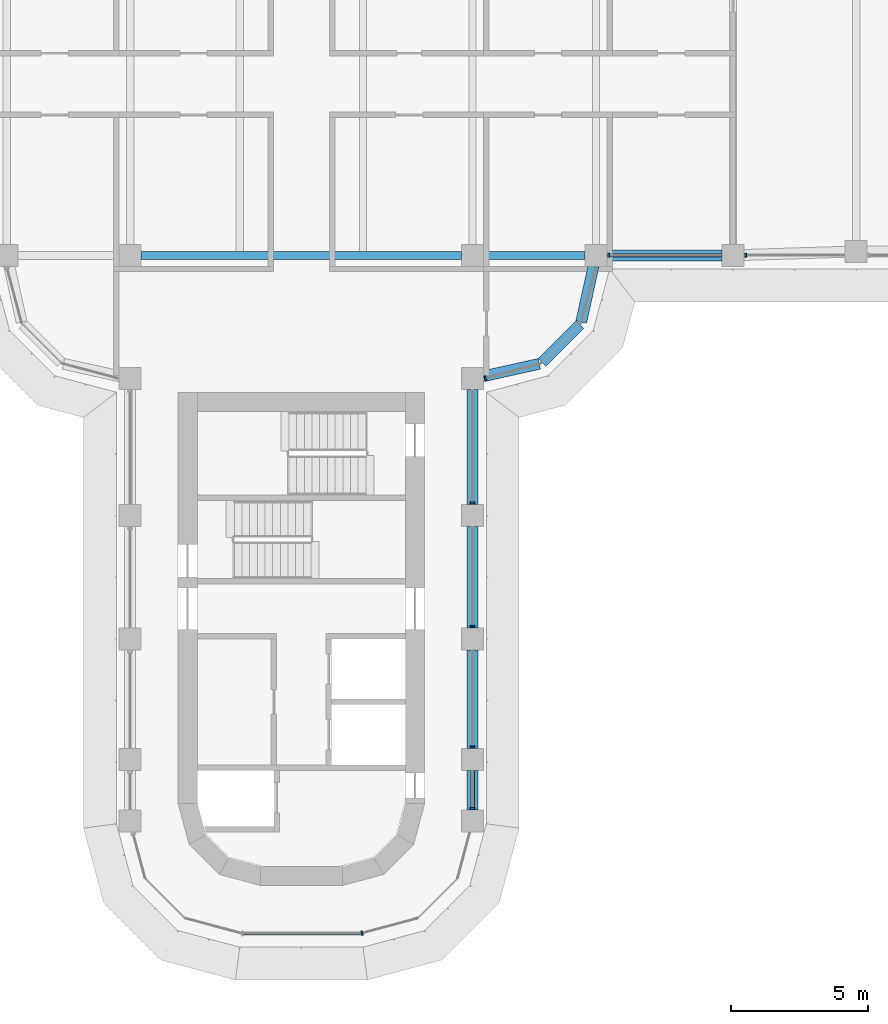
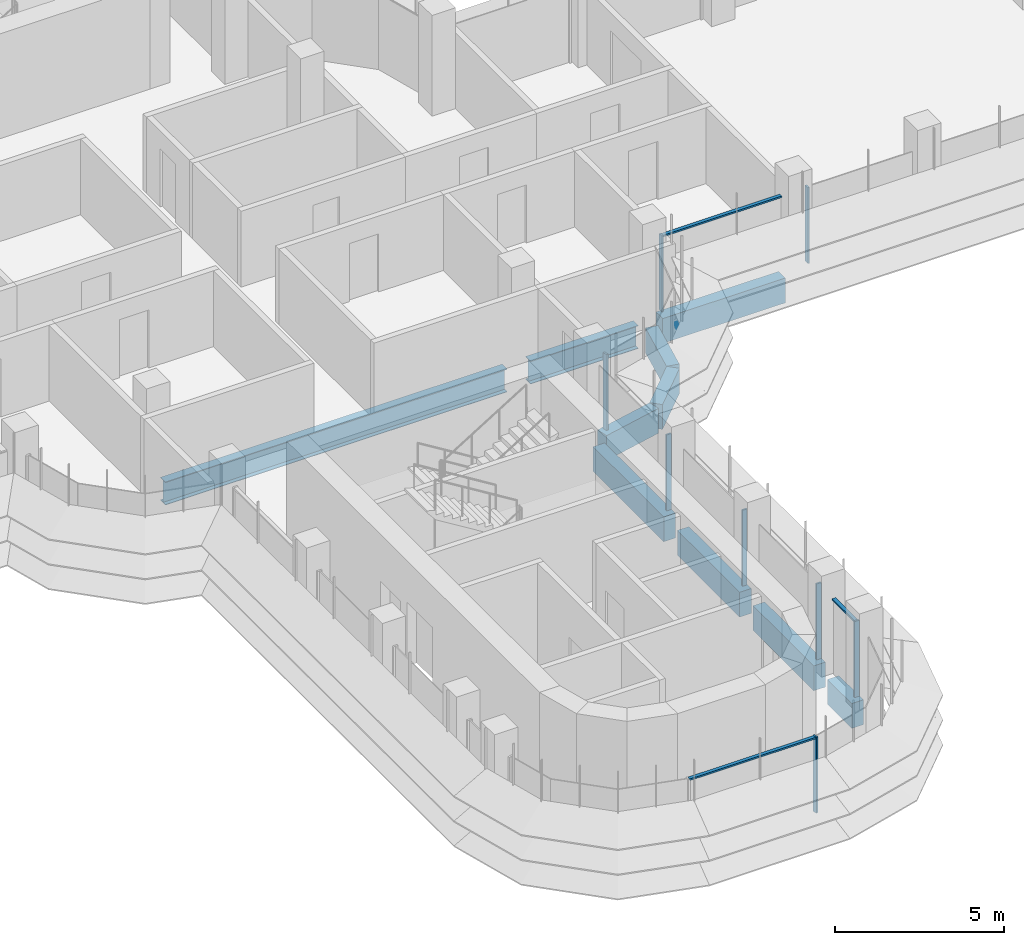
# One storey, part 4 of 20: 11 members, 10 beams, 5 elements without a shape of their own.
"""IFC4 building model written with IfcOpenShell, lengths in metres."""

import ifcopenshell
import ifcopenshell.guid

model = None  # the IFC model being written
_history = None  # IfcOwnerHistory: only IFC2X3 demands one
_inside = {}  # id of a spatial element -> (the spatial element, [elements in it])
_under = {}  # id of a project, library or spatial element -> (it, [spatial elements below it])
_declared = {}  # id of a project -> (the project, [libraries it declares])
_typed = {}  # id of a type object -> (the type object, [elements of that type])
_made_of = {}  # id of a material, layer set ... -> (it, [elements and type objects made of it])


def new_model(schema):
    """Start an empty IFC model of exactly this schema.

    Asked for "IFC4X3", IfcOpenShell would pick the latest addendum, in which some entities
    have other attributes; the version numbers below select the first issue.
    IFC2X3 requires an IfcOwnerHistory on every rooted entity: one is made here for all.
    """
    global model, _history
    if schema == "IFC4X3":
        model = ifcopenshell.file(schema_version=(4, 3, 0, 0))
    else:
        model = ifcopenshell.file(schema=schema)
    _inside.clear()
    _under.clear()
    _declared.clear()
    _typed.clear()
    _made_of.clear()
    _history = None
    if model.schema == "IFC2X3":
        org = make("IfcOrganization", Name="unknown")
        user = make(
            "IfcPersonAndOrganization",
            ThePerson=make("IfcPerson", FamilyName="unknown"),
            TheOrganization=org,
        )
        app = make(
            "IfcApplication",
            ApplicationDeveloper=org,
            Version="unknown",
            ApplicationFullName="unknown",
            ApplicationIdentifier="unknown",
        )
        _history = make(
            "IfcOwnerHistory",
            OwningUser=user,
            OwningApplication=app,
            ChangeAction="ADDED",
            CreationDate=0,
        )
    return model


def make(cls, **values):
    """One entity of the class cls with the attributes given. An attribute that is None is left unset."""
    return model.create_entity(
        cls, **{name: value for name, value in values.items() if value is not None}
    )


def rooted(cls, **values):
    """An entity with a GlobalId (a new one), such as an element, a storey or a relation."""
    return make(cls, GlobalId=ifcopenshell.guid.new(), OwnerHistory=_history, **values)


def si_unit(unit_type, name, prefix=None):
    """IfcSIUnit, for example si_unit("LENGTHUNIT", "METRE", prefix="MILLI")."""
    return make("IfcSIUnit", UnitType=unit_type, Prefix=prefix, Name=name)


def assignment(units):
    """IfcUnitAssignment: the units of a project."""
    return None if units is None else make("IfcUnitAssignment", Units=units)


def point(xyz):
    """IfcCartesianPoint."""
    return None if xyz is None else make("IfcCartesianPoint", Coordinates=xyz)


def direction(xyz):
    """IfcDirection."""
    return None if xyz is None else make("IfcDirection", DirectionRatios=xyz)


def frame(location, z_axis=None, x_axis=None):
    """IfcAxis2Placement3D, a coordinate frame: its origin and axes. An axis left out is left unset."""
    return make(
        "IfcAxis2Placement3D",
        Location=point(location),
        Axis=direction(z_axis),
        RefDirection=direction(x_axis),
    )


def frame_2d(location, x_axis=None):
    """IfcAxis2Placement2D, a coordinate frame in the plane: its origin and x axis."""
    return make(
        "IfcAxis2Placement2D", Location=point(location), RefDirection=direction(x_axis)
    )


def origin():
    """The frame at (0, 0, 0) with its axes left unset."""
    return frame((0.0, 0.0, 0.0))


def origin_2d():
    """The frame at (0, 0) in the plane with its x axis left unset."""
    return frame_2d((0.0, 0.0))


def place(relative_to, where):
    """IfcLocalPlacement: puts the frame where relative to a parent placement (None: the world)."""
    return make(
        "IfcLocalPlacement", PlacementRelTo=relative_to, RelativePlacement=where
    )


def context(
    kind, dimensions, precision=None, world=None, true_north=None, identifier=None
):
    """IfcGeometricRepresentationContext, for example the 3D "Model" context."""
    return make(
        "IfcGeometricRepresentationContext",
        ContextIdentifier=identifier,
        ContextType=kind,
        CoordinateSpaceDimension=dimensions,
        Precision=precision,
        WorldCoordinateSystem=world,
        TrueNorth=true_north,
    )


def subcontext(parent, identifier, kind, view, scale=None):
    """IfcGeometricRepresentationSubContext, for example "Body" below "Model"."""
    return make(
        "IfcGeometricRepresentationSubContext",
        ContextIdentifier=identifier,
        ContextType=kind,
        ParentContext=parent,
        TargetScale=scale,
        TargetView=view,
    )


def project(units=None, contexts=None):
    """IfcProject with its units and contexts."""
    return rooted(
        "IfcProject",
        Name="project",
        RepresentationContexts=contexts,
        UnitsInContext=assignment(units),
    )


def spatial(cls, under=None, at=None, **own):
    """A site, building, storey or space (cls), placed at a placement, below another one or the project."""
    s = rooted(cls, ObjectPlacement=at, **own)
    if under is not None:
        _under.setdefault(under.id(), (under, []))[1].append(s)
    return s


def polyline(points):
    """IfcPolyline through the points."""
    return make("IfcPolyline", Points=[point(p) for p in points])


def profile(cls, at=None, kind="AREA", **sizes):
    """A parametric profile (cls). Its sizes go by their IFC names, for example OverallWidth=200.0."""
    return make(cls, ProfileType=kind, Position=at, **sizes)


def rectangle(**sizes):
    """IfcRectangleProfileDef."""
    return profile("IfcRectangleProfileDef", **sizes)


def i_section(**sizes):
    """IfcIShapeProfileDef."""
    return profile("IfcIShapeProfileDef", **sizes)


def outline(outer, holes=None, kind="AREA"):
    """IfcArbitraryClosedProfileDef: a profile drawn as a closed curve; with holes, ...WithVoids."""
    if holes is None:
        return make("IfcArbitraryClosedProfileDef", ProfileType=kind, OuterCurve=outer)
    return make(
        "IfcArbitraryProfileDefWithVoids",
        ProfileType=kind,
        OuterCurve=outer,
        InnerCurves=holes,
    )


def extrude(swept, where, along, depth):
    """IfcExtrudedAreaSolid: the profile swept, set in the frame where, extruded along a direction by depth."""
    return make(
        "IfcExtrudedAreaSolid",
        SweptArea=swept,
        Position=where,
        ExtrudedDirection=direction(along),
        Depth=depth,
    )


def shape(context_of_items, identifier, shape_type, items):
    """IfcShapeRepresentation: the items that make up one representation, for example the "Body"."""
    return make(
        "IfcShapeRepresentation",
        ContextOfItems=context_of_items,
        RepresentationIdentifier=identifier,
        RepresentationType=shape_type,
        Items=items,
    )


def source(mapping_origin, context_of_items, identifier, shape_type, items):
    """IfcRepresentationMap: a shape defined once, which mapped items show again and again."""
    return make(
        "IfcRepresentationMap",
        MappingOrigin=mapping_origin,
        MappedRepresentation=shape(context_of_items, identifier, shape_type, items),
    )


def transform(
    local_origin,
    x_axis=None,
    y_axis=None,
    z_axis=None,
    scale=None,
    scale2=None,
    scale3=None,
    uniform=True,
):
    """IfcCartesianTransformationOperator3D, or its non-uniform kind. x_axis, y_axis, z_axis: its Axis1, 2, 3."""
    if uniform:
        return make(
            "IfcCartesianTransformationOperator3D",
            Axis1=direction(x_axis),
            Axis2=direction(y_axis),
            LocalOrigin=point(local_origin),
            Scale=scale,
            Axis3=direction(z_axis),
        )
    return make(
        "IfcCartesianTransformationOperator3DnonUniform",
        Axis1=direction(x_axis),
        Axis2=direction(y_axis),
        LocalOrigin=point(local_origin),
        Scale=scale,
        Axis3=direction(z_axis),
        Scale2=scale2,
        Scale3=scale3,
    )


def mapped(mapping_source, mapping_target):
    """IfcMappedItem: shows the shape of a source again, moved by a transform."""
    return make(
        "IfcMappedItem", MappingSource=mapping_source, MappingTarget=mapping_target
    )


def material(Name=None, Category=None):
    """IfcMaterial."""
    return make("IfcMaterial", Name=Name, Category=Category)


def material_profile(
    of_material, cross_section, Name=None, Category=None, Priority=None
):
    """IfcMaterialProfile: a cross section and its material."""
    return make(
        "IfcMaterialProfile",
        Name=Name,
        Material=of_material,
        Profile=cross_section,
        Priority=Priority,
        Category=Category,
    )


def profile_set(profiles, Name=None, composite=None):
    """IfcMaterialProfileSet."""
    return make(
        "IfcMaterialProfileSet",
        Name=Name,
        MaterialProfiles=profiles,
        CompositeProfile=composite,
    )


def made_of(thing, what):
    """Note that an element or type object is made of a material, layer set ...; save() writes the relation."""
    if what is not None:
        _made_of.setdefault(what.id(), (what, []))[1].append(thing)
    return thing


def type_object(cls, material=None, **own):
    """A type object (cls), such as IfcWallType, which elements share."""
    return made_of(rooted(cls, **own), material)


def element(
    cls,
    number,
    at=None,
    inside=None,
    cuts=None,
    type_object=None,
    material=None,
    context=None,
    identifier="Body",
    shape_type=None,
    held_by="IfcProductDefinitionShape",
    body=None,
    shapes=None,
    **own,
):
    """One element of the class cls, such as IfcWall. Its Tag is "e" and its number.

    at: its placement. inside: the storey or other place that contains it. cuts: it is an
    opening in that element (IfcRelVoidsElement). A single representation is given by context,
    identifier, shape_type and body (its items); several are given by shapes. held_by: the class
    of the entity that holds the representations. save() writes the other relations.
    """
    e = rooted(cls, Tag="e%d" % number, ObjectPlacement=at, **own)
    if body is not None:
        shapes = [shape(context, identifier, shape_type, body)]
    if shapes is not None:
        e.Representation = make(held_by, Representations=shapes)
    if inside is not None:
        _inside.setdefault(inside.id(), (inside, []))[1].append(e)
    if cuts is not None:
        rooted(
            "IfcRelVoidsElement", RelatingBuildingElement=cuts, RelatedOpeningElement=e
        )
    if type_object is not None:
        _typed.setdefault(type_object.id(), (type_object, []))[1].append(e)
    return made_of(e, material)


def aggregate(whole, parts):
    """IfcRelAggregates: a whole, such as a stair, and the parts it consists of."""
    return rooted("IfcRelAggregates", RelatingObject=whole, RelatedObjects=parts)


def save(model, path):
    """Write the relations noted so far, then the file.

    IfcRelAggregates (storeys below a building ...), IfcRelContainedInSpatialStructure (elements
    in a storey), IfcRelDefinesByType, IfcRelAssociatesMaterial and IfcRelDeclares: one each for
    every whole, place, type object, material and project.
    """
    for whole, parts in _under.values():
        aggregate(whole, parts)
    for where, things in _inside.values():
        rooted(
            "IfcRelContainedInSpatialStructure",
            RelatedElements=things,
            RelatingStructure=where,
        )
    for kind, things in _typed.values():
        rooted("IfcRelDefinesByType", RelatedObjects=things, RelatingType=kind)
    for what, things in _made_of.values():
        rooted("IfcRelAssociatesMaterial", RelatedObjects=things, RelatingMaterial=what)
    for by, libraries in _declared.values():
        rooted("IfcRelDeclares", RelatingContext=by, RelatedDefinitions=libraries)
    model.write(path)


model = new_model("IFC4")

# Units and contexts
model_context = context("Model", 3, precision=1e-05, world=origin(), true_north=direction((0.0, 1.0)))
body_context = subcontext(model_context, "Body", "Model", "MODEL_VIEW")
ifc_project = project(units=[si_unit("LENGTHUNIT", "METRE"), si_unit("AREAUNIT", "SQUARE_METRE"), si_unit("VOLUMEUNIT", "CUBIC_METRE"), si_unit("PLANEANGLEUNIT", "RADIAN"), si_unit("MASSUNIT", "GRAM", prefix="KILO")], contexts=[model_context])

# Site, building, storey
site_placement = place(None, origin())
site = spatial("IfcSite", under=ifc_project, at=site_placement, CompositionType="ELEMENT")
building_placement = place(site_placement, origin())
building = spatial("IfcBuilding", under=site, at=building_placement, Name="Zarbagh Exchange Tower", CompositionType="ELEMENT")
storey_placement = place(building_placement, frame((0.0, 0.0, 186.60009765625)))
storey = spatial("IfcBuildingStorey", under=building, at=storey_placement, Name="L45", CompositionType="ELEMENT", Elevation=186.60009765625)

# Beams
ifc_material_1 = material(Name="Steel ASTM A992 Gr 50", Category="steel")
ifc_material_profile_1 = material_profile(ifc_material_1, i_section(OverallWidth=0.2919921875, OverallDepth=0.835693359375, WebThickness=0.013916015625, FlangeThickness=0.018798828125, at=origin_2d()), Name="W33X118")
ifc_profile_set_1 = profile_set([ifc_material_profile_1], Name="Steel ASTM A992 Gr 50")
beam_type_1 = type_object("IfcBeamType", Name="Floor girder W33X118", PredefinedType="BEAM", material=ifc_profile_set_1)
beam_1_placement = place(storey_placement, frame((-5.85009765625, -6.25, -0.56787109375), z_axis=(1.0, 0.0, 0.0), x_axis=(0.0, 1.0, 0.0)))
element("IfcBeam", 1, at=beam_1_placement, inside=storey, type_object=beam_type_1, Name="Steel girder", PredefinedType="BEAM", context=body_context, shape_type="SweptSolid", body=[
    extrude(i_section(OverallWidth=0.2919921875, OverallDepth=0.835693359375, WebThickness=0.013916015625, FlangeThickness=0.018798828125, at=origin_2d()), origin(), (0.0, 0.0, 1.0), 11.7001953125),
])
beam_2_placement = place(storey_placement, frame((6.64990234375, -6.25, -0.56787109375), z_axis=(1.0, 0.0, 0.0), x_axis=(0.0, 1.0, 0.0)))
element("IfcBeam", 2, at=beam_2_placement, inside=storey, type_object=beam_type_1, Name="Steel girder", PredefinedType="BEAM", context=body_context, shape_type="SweptSolid", body=[
    extrude(i_section(OverallWidth=0.2919921875, OverallDepth=0.835693359375, WebThickness=0.013916015625, FlangeThickness=0.018798828125, at=origin_2d()), origin(), (0.0, 0.0, 1.0), 3.7001953125),
])
ifc_material_2 = material(Name="Concrete C50/60", Category="concrete")
ifc_material_profile_2 = material_profile(ifc_material_2, rectangle(XDim=0.39990234375, YDim=0.89990234375, at=origin_2d()), Name="RC spandrel beam 400 x 900 C50/60")
ifc_profile_set_2 = profile_set([ifc_material_profile_2], Name="Concrete C50/60")
beam_type_2 = type_object("IfcBeamType", Name="RC spandrel beam 400 x 900 C50/60", PredefinedType="SPANDREL", material=ifc_profile_set_2)
beam_3_placement = place(storey_placement, frame((15.35009765625, -6.25, -0.60009765625), z_axis=(-1.0, 0.0, 0.0), x_axis=(0.0, -1.0, 0.0)))
element("IfcBeam", 3, at=beam_3_placement, inside=storey, type_object=beam_type_2, Name="RC spandrel beam", PredefinedType="SPANDREL", context=body_context, shape_type="SweptSolid", body=[
    extrude(rectangle(XDim=0.39990234375, YDim=0.89990234375, at=origin_2d()), origin(), (0.0, 0.0, 1.0), 4.2001953125),
])
beam_4_placement = place(storey_placement, frame((10.66357421875, -6.640625, -0.60009765625), z_axis=(-0.216041061437, -0.976384278741, 0.0), x_axis=(0.976384278741, -0.216041061437, 0.0)))
element("IfcBeam", 4, at=beam_4_placement, inside=storey, type_object=beam_type_2, Name="RC spandrel beam", PredefinedType="SPANDREL", context=body_context, shape_type="SweptSolid", body=[
    extrude(rectangle(XDim=0.39990234375, YDim=0.89990234375, at=origin_2d()), origin(), (0.0, 0.0, 1.0), 2.0927734375),
])
beam_5_placement = place(storey_placement, frame((10.15771484375, -8.782470703125, -0.60009765625), z_axis=(-0.707106781187, -0.707106781187, 0.0), x_axis=(0.707106781187, -0.707106781187, 0.0)))
element("IfcBeam", 5, at=beam_5_placement, inside=storey, type_object=beam_type_2, Name="RC spandrel beam", PredefinedType="SPANDREL", context=body_context, shape_type="SweptSolid", body=[
    extrude(rectangle(XDim=0.39990234375, YDim=0.89990234375, at=origin_2d()), origin(), (0.0, 0.0, 1.0), 1.94482421875),
])
beam_6_placement = place(storey_placement, frame((8.68408203125, -10.21142578125, -0.60009765625), z_axis=(-0.976384278741, -0.216041061437, 0.0), x_axis=(0.216041061437, -0.976384278741, 0.0)))
element("IfcBeam", 6, at=beam_6_placement, inside=storey, type_object=beam_type_2, Name="RC spandrel beam", PredefinedType="SPANDREL", context=body_context, shape_type="SweptSolid", body=[
    extrude(rectangle(XDim=0.39990234375, YDim=0.89990234375, at=origin_2d()), origin(), (0.0, 0.0, 1.0), 2.0927734375),
])
beam_7_placement = place(storey_placement, frame((6.25, -11.14990234375, -0.60009765625), z_axis=(0.0, -1.0, 0.0), x_axis=(1.0, 0.0, 0.0)))
element("IfcBeam", 7, at=beam_7_placement, inside=storey, type_object=beam_type_2, Name="RC spandrel beam", PredefinedType="SPANDREL", context=body_context, shape_type="SweptSolid", body=[
    extrude(rectangle(XDim=0.39990234375, YDim=0.89990234375, at=origin_2d()), origin(), (0.0, 0.0, 1.0), 4.2001953125),
])
beam_8_placement = place(storey_placement, frame((6.25, -16.14990234375, -0.60009765625), z_axis=(0.0, -1.0, 0.0), x_axis=(1.0, 0.0, 0.0)))
element("IfcBeam", 8, at=beam_8_placement, inside=storey, type_object=beam_type_2, Name="RC spandrel beam", PredefinedType="SPANDREL", context=body_context, shape_type="SweptSolid", body=[
    extrude(rectangle(XDim=0.39990234375, YDim=0.89990234375, at=origin_2d()), origin(), (0.0, 0.0, 1.0), 3.7001953125),
])
beam_9_placement = place(storey_placement, frame((6.25, -20.64990234375, -0.60009765625), z_axis=(0.0, -1.0, 0.0), x_axis=(1.0, 0.0, 0.0)))
element("IfcBeam", 9, at=beam_9_placement, inside=storey, type_object=beam_type_2, Name="RC spandrel beam", PredefinedType="SPANDREL", context=body_context, shape_type="SweptSolid", body=[
    extrude(rectangle(XDim=0.39990234375, YDim=0.89990234375, at=origin_2d()), origin(), (0.0, 0.0, 1.0), 3.60009765625),
])
beam_10_placement = place(storey_placement, frame((6.25, -25.050048828125, -0.60009765625), z_axis=(0.0, -1.0, 0.0), x_axis=(1.0, 0.0, 0.0)))
element("IfcBeam", 10, at=beam_10_placement, inside=storey, type_object=beam_type_2, Name="RC spandrel beam", PredefinedType="SPANDREL", context=body_context, shape_type="SweptSolid", body=[
    extrude(rectangle(XDim=0.39990234375, YDim=0.89990234375, at=origin_2d()), origin(), (0.0, 0.0, 1.0), 1.449951171875),
])

# Curtain wall, member
ifc_material_3 = material(Name="Anodised aluminium frame and glazing", Category="aluminium")
curtain_wall_type = type_object("IfcCurtainWallType", Name="CWB Ribbon glazing, upper zones", PredefinedType="NOTDEFINED", material=ifc_material_3)
curtain_wall_1_placement = place(storey_placement, origin())
curtain_wall_1 = element("IfcCurtainWall", 11, at=curtain_wall_1_placement, inside=storey, type_object=curtain_wall_type, Name="CWB49 curtain wall", PredefinedType="NOTDEFINED")
ifc_material_4 = material(Name="Anodised aluminium frame", Category="aluminium")
member_type_1 = type_object("IfcMemberType", Name="MUB Mullion, anodised aluminium frame", PredefinedType="MULLION", material=ifc_material_4)
shared_shape_1 = source(origin(), body_context, "Body", "SweptSolid", [
    extrude(outline(polyline([(0.0, -0.080078125), (0.06005859375, -0.080078125), (0.06005859375, 0.080078125), (0.0, 0.080078125), (0.0, -0.080078125)])), origin(), (0.0, 0.0, 1.0), 2.75),
])
placement = place(storey_placement, origin())
member_1 = element("IfcMember", 12, at=placement, type_object=member_type_1, Name="CWB49 mullion 1.1", PredefinedType="MULLION", context=body_context, shape_type="MappedRepresentation", body=[
    mapped(shared_shape_1, transform((2.18408203125, -31.0, 0.0), x_axis=(0.965924289636, 0.258824779902, 0.0), y_axis=(-0.258824779902, 0.965924289636, 0.0), z_axis=(0.0, 0.0, 1.0))),
])
aggregate(curtain_wall_1, [member_1])

# Curtain wall, members
curtain_wall_2_placement = place(storey_placement, origin())
curtain_wall_2 = element("IfcCurtainWall", 13, at=curtain_wall_2_placement, inside=storey, type_object=curtain_wall_type, Name="CWB52 curtain wall", PredefinedType="NOTDEFINED")
member_2 = element("IfcMember", 14, at=placement, type_object=member_type_1, Name="CWB52 mullion 1.1", PredefinedType="MULLION", context=body_context, shape_type="MappedRepresentation", body=[
    mapped(shared_shape_1, transform((6.25, -26.4599609375, 0.0), x_axis=(0.0, 1.0, 0.0), y_axis=(-1.0, 0.0, 0.0), z_axis=(0.0, 0.0, 1.0))),
])
member_3 = element("IfcMember", 15, at=placement, type_object=member_type_1, Name="CWB52 mullion 2.1", PredefinedType="MULLION", context=body_context, shape_type="MappedRepresentation", body=[
    mapped(shared_shape_1, transform((6.25, -24.2099609375, 0.0), x_axis=(0.0, 1.0, 0.0), y_axis=(-1.0, 0.0, 0.0), z_axis=(0.0, 0.0, 1.0))),
])
member_4 = element("IfcMember", 16, at=placement, type_object=member_type_1, Name="CWB52 mullion 3.1", PredefinedType="MULLION", context=body_context, shape_type="MappedRepresentation", body=[
    mapped(shared_shape_1, transform((6.25, -19.81005859375, 0.0), x_axis=(0.0, 1.0, 0.0), y_axis=(-1.0, 0.0, 0.0), z_axis=(0.0, 0.0, 1.0))),
])
member_5 = element("IfcMember", 17, at=placement, type_object=member_type_1, Name="CWB52 mullion 4.1", PredefinedType="MULLION", context=body_context, shape_type="MappedRepresentation", body=[
    mapped(shared_shape_1, transform((6.25, -15.31005859375, 0.0), x_axis=(0.0, 1.0, 0.0), y_axis=(-1.0, 0.0, 0.0), z_axis=(0.0, 0.0, 1.0))),
])

# Curtain wall, member
curtain_wall_3_placement = place(storey_placement, origin())
curtain_wall_3 = element("IfcCurtainWall", 18, at=curtain_wall_3_placement, inside=storey, type_object=curtain_wall_type, Name="CWB05 curtain wall", PredefinedType="NOTDEFINED")
member_6 = element("IfcMember", 19, at=placement, type_object=member_type_1, Name="CWB05 mullion 1.1", PredefinedType="MULLION", context=body_context, shape_type="MappedRepresentation", body=[
    mapped(shared_shape_1, transform((6.68994140625, -10.74853515625, 0.0), x_axis=(0.965924289636, 0.258824779902, 0.0), y_axis=(-0.258824779902, 0.965924289636, 0.0), z_axis=(0.0, 0.0, 1.0))),
])
aggregate(curtain_wall_3, [member_6])

# Curtain wall, members
curtain_wall_4_placement = place(storey_placement, origin())
curtain_wall_4 = element("IfcCurtainWall", 20, at=curtain_wall_4_placement, inside=storey, type_object=curtain_wall_type, Name="CWB08 curtain wall", PredefinedType="NOTDEFINED")
member_7 = element("IfcMember", 21, at=placement, type_object=member_type_1, Name="CWB08 mullion 1.1", PredefinedType="MULLION", context=body_context, shape_type="MappedRepresentation", body=[
    mapped(shared_shape_1, transform((11.18994140625, -6.25, 0.0), x_axis=(1.0, 0.0, 0.0), y_axis=(0.0, 1.0, 0.0), z_axis=(0.0, 0.0, 1.0))),
])
member_8 = element("IfcMember", 22, at=placement, type_object=member_type_1, Name="CWB08 mullion 2.1", PredefinedType="MULLION", context=body_context, shape_type="MappedRepresentation", body=[
    mapped(shared_shape_1, transform((16.18994140625, -6.25, 0.0), x_axis=(1.0, 0.0, 0.0), y_axis=(0.0, 1.0, 0.0), z_axis=(0.0, 0.0, 1.0))),
])

# Curtain wall, member
curtain_wall_5_placement = place(storey_placement, origin())
curtain_wall_5 = element("IfcCurtainWall", 23, at=curtain_wall_5_placement, inside=storey, type_object=curtain_wall_type, Name="CWB57 curtain wall", PredefinedType="NOTDEFINED")
member_type_2 = type_object("IfcMemberType", Name="TRB Transom, anodised aluminium frame", PredefinedType="USERDEFINED", material=ifc_material_4)
shared_shape_2 = source(origin(), body_context, "Body", "SweptSolid", [
    extrude(outline(polyline([(-0.06005859375, -0.06005859375), (0.0, -0.06005859375), (0.0, 0.06005859375), (-0.06005859375, 0.06005859375), (-0.06005859375, -0.06005859375)])), origin(), (0.0, 0.0, 1.0), 4.308349609375),
])
member_9 = element("IfcMember", 24, at=placement, type_object=member_type_2, Name="CWB57 transom 1.1", ObjectType="TRANSOM", PredefinedType="USERDEFINED", context=body_context, shape_type="MappedRepresentation", body=[
    mapped(shared_shape_2, transform((-2.124267578125, -31.0, 2.75), x_axis=(0.0, 0.0, 1.0), y_axis=(0.0, -1.0, 0.0), z_axis=(1.0, 0.0, 0.0))),
])
aggregate(curtain_wall_5, [member_9])

# Member
shared_shape_3 = source(origin(), body_context, "Body", "SweptSolid", [
    extrude(outline(polyline([(-0.06005859375, -0.06005859375), (0.0, -0.06005859375), (0.0, 0.06005859375), (-0.06005859375, 0.06005859375), (-0.06005859375, -0.06005859375)])), origin(), (0.0, 0.0, 1.0), 4.06005859375),
])
member_10 = element("IfcMember", 25, at=placement, type_object=member_type_2, Name="CWB08 transom 1.1", ObjectType="TRANSOM", PredefinedType="USERDEFINED", context=body_context, shape_type="MappedRepresentation", body=[
    mapped(shared_shape_3, transform((11.25, -6.25, 2.75), x_axis=(0.0, 0.0, 1.0), y_axis=(0.0, -1.0, 0.0), z_axis=(1.0, 0.0, 0.0))),
])

aggregate(curtain_wall_4, [member_7, member_10, member_8])

shared_shape_4 = source(origin(), body_context, "Body", "SweptSolid", [
    extrude(outline(polyline([(-0.06005859375, -0.06005859375), (0.0, -0.06005859375), (0.0, 0.06005859375), (-0.06005859375, 0.06005859375), (-0.06005859375, -0.06005859375)])), origin(), (0.0, 0.0, 1.0), 1.31005859375),
])
member_11 = element("IfcMember", 26, at=placement, type_object=member_type_2, Name="CWB52 transom 1.1", ObjectType="TRANSOM", PredefinedType="USERDEFINED", context=body_context, shape_type="MappedRepresentation", body=[
    mapped(shared_shape_4, transform((6.25, -26.39990234375, 2.75), x_axis=(0.0, 0.0, 1.0), y_axis=(1.0, 0.0, 0.0), z_axis=(0.0, 1.0, 0.0))),
])

aggregate(curtain_wall_2, [member_2, member_11, member_3, member_4, member_5])

save(model, "model.ifc")
